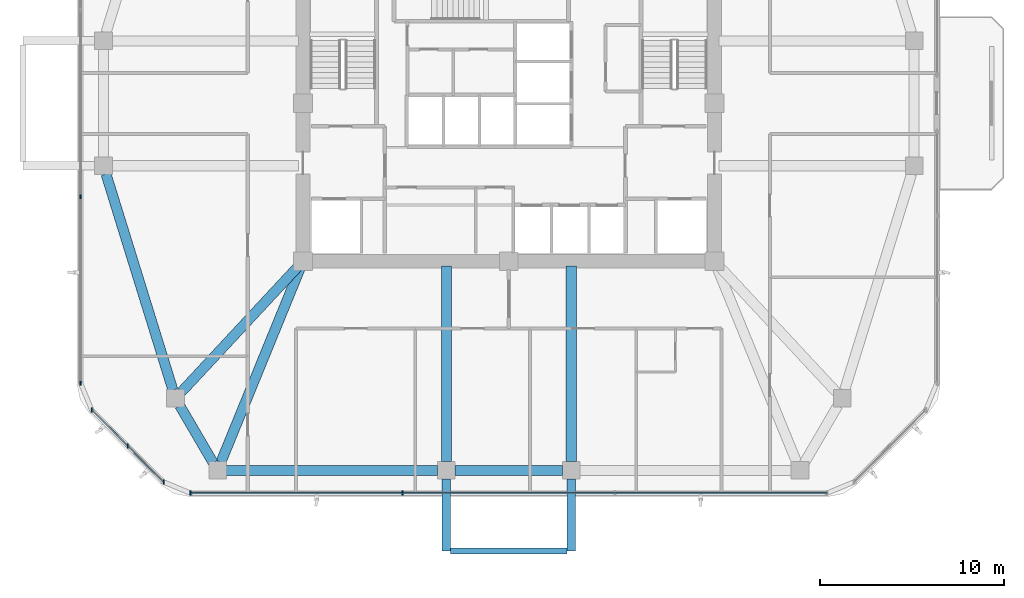
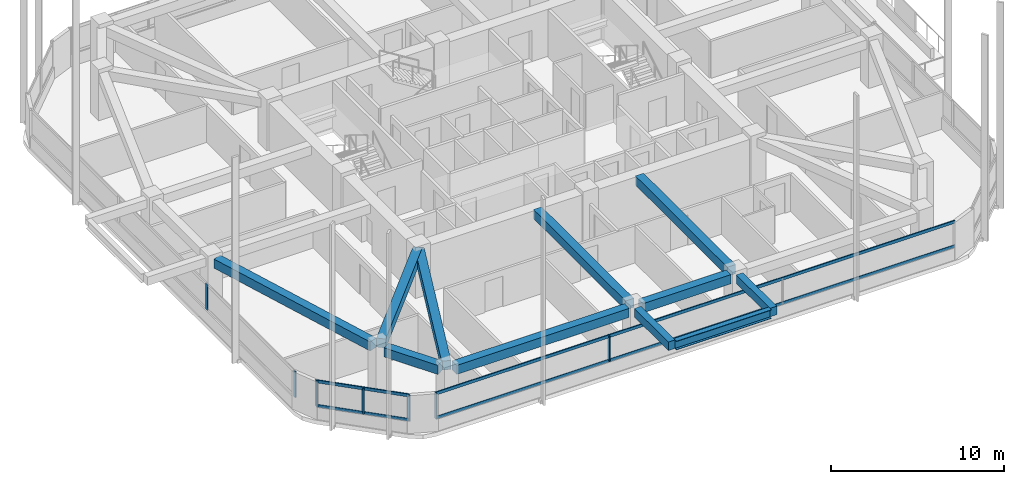
# One storey, part 2 of 14: 11 beams, 11 members, 3 elements without a shape of their own.
"""IFC4 building model written with IfcOpenShell, lengths in metres."""

import ifcopenshell
import ifcopenshell.guid

model = None  # the IFC model being written
_history = None  # IfcOwnerHistory: only IFC2X3 demands one
_inside = {}  # id of a spatial element -> (the spatial element, [elements in it])
_under = {}  # id of a project, library or spatial element -> (it, [spatial elements below it])
_declared = {}  # id of a project -> (the project, [libraries it declares])
_typed = {}  # id of a type object -> (the type object, [elements of that type])
_made_of = {}  # id of a material, layer set ... -> (it, [elements and type objects made of it])


def new_model(schema):
    """Start an empty IFC model of exactly this schema.

    Asked for "IFC4X3", IfcOpenShell would pick the latest addendum, in which some entities
    have other attributes; the version numbers below select the first issue.
    IFC2X3 requires an IfcOwnerHistory on every rooted entity: one is made here for all.
    """
    global model, _history
    if schema == "IFC4X3":
        model = ifcopenshell.file(schema_version=(4, 3, 0, 0))
    else:
        model = ifcopenshell.file(schema=schema)
    _inside.clear()
    _under.clear()
    _declared.clear()
    _typed.clear()
    _made_of.clear()
    _history = None
    if model.schema == "IFC2X3":
        org = make("IfcOrganization", Name="unknown")
        user = make(
            "IfcPersonAndOrganization",
            ThePerson=make("IfcPerson", FamilyName="unknown"),
            TheOrganization=org,
        )
        app = make(
            "IfcApplication",
            ApplicationDeveloper=org,
            Version="unknown",
            ApplicationFullName="unknown",
            ApplicationIdentifier="unknown",
        )
        _history = make(
            "IfcOwnerHistory",
            OwningUser=user,
            OwningApplication=app,
            ChangeAction="ADDED",
            CreationDate=0,
        )
    return model


def make(cls, **values):
    """One entity of the class cls with the attributes given. An attribute that is None is left unset."""
    return model.create_entity(
        cls, **{name: value for name, value in values.items() if value is not None}
    )


def rooted(cls, **values):
    """An entity with a GlobalId (a new one), such as an element, a storey or a relation."""
    return make(cls, GlobalId=ifcopenshell.guid.new(), OwnerHistory=_history, **values)


def si_unit(unit_type, name, prefix=None):
    """IfcSIUnit, for example si_unit("LENGTHUNIT", "METRE", prefix="MILLI")."""
    return make("IfcSIUnit", UnitType=unit_type, Prefix=prefix, Name=name)


def derived_unit(unit_type, elements):
    """IfcDerivedUnit: a product of units, each with its exponent."""
    return make(
        "IfcDerivedUnit",
        Elements=[
            make("IfcDerivedUnitElement", Unit=unit, Exponent=power)
            for unit, power in elements
        ],
        UnitType=unit_type,
    )


def assignment(units):
    """IfcUnitAssignment: the units of a project."""
    return None if units is None else make("IfcUnitAssignment", Units=units)


def point(xyz):
    """IfcCartesianPoint."""
    return None if xyz is None else make("IfcCartesianPoint", Coordinates=xyz)


def direction(xyz):
    """IfcDirection."""
    return None if xyz is None else make("IfcDirection", DirectionRatios=xyz)


def frame(location, z_axis=None, x_axis=None):
    """IfcAxis2Placement3D, a coordinate frame: its origin and axes. An axis left out is left unset."""
    return make(
        "IfcAxis2Placement3D",
        Location=point(location),
        Axis=direction(z_axis),
        RefDirection=direction(x_axis),
    )


def frame_2d(location, x_axis=None):
    """IfcAxis2Placement2D, a coordinate frame in the plane: its origin and x axis."""
    return make(
        "IfcAxis2Placement2D", Location=point(location), RefDirection=direction(x_axis)
    )


def origin():
    """The frame at (0, 0, 0) with its axes left unset."""
    return frame((0.0, 0.0, 0.0))


def origin_2d():
    """The frame at (0, 0) in the plane with its x axis left unset."""
    return frame_2d((0.0, 0.0))


def place(relative_to, where):
    """IfcLocalPlacement: puts the frame where relative to a parent placement (None: the world)."""
    return make(
        "IfcLocalPlacement", PlacementRelTo=relative_to, RelativePlacement=where
    )


def context(
    kind, dimensions, precision=None, world=None, true_north=None, identifier=None
):
    """IfcGeometricRepresentationContext, for example the 3D "Model" context."""
    return make(
        "IfcGeometricRepresentationContext",
        ContextIdentifier=identifier,
        ContextType=kind,
        CoordinateSpaceDimension=dimensions,
        Precision=precision,
        WorldCoordinateSystem=world,
        TrueNorth=true_north,
    )


def subcontext(parent, identifier, kind, view, scale=None):
    """IfcGeometricRepresentationSubContext, for example "Body" below "Model"."""
    return make(
        "IfcGeometricRepresentationSubContext",
        ContextIdentifier=identifier,
        ContextType=kind,
        ParentContext=parent,
        TargetScale=scale,
        TargetView=view,
    )


def project(units=None, contexts=None):
    """IfcProject with its units and contexts."""
    return rooted(
        "IfcProject",
        Name="project",
        RepresentationContexts=contexts,
        UnitsInContext=assignment(units),
    )


def spatial(cls, under=None, at=None, **own):
    """A site, building, storey or space (cls), placed at a placement, below another one or the project."""
    s = rooted(cls, ObjectPlacement=at, **own)
    if under is not None:
        _under.setdefault(under.id(), (under, []))[1].append(s)
    return s


def profile(cls, at=None, kind="AREA", **sizes):
    """A parametric profile (cls). Its sizes go by their IFC names, for example OverallWidth=200.0."""
    return make(cls, ProfileType=kind, Position=at, **sizes)


def rectangle(**sizes):
    """IfcRectangleProfileDef."""
    return profile("IfcRectangleProfileDef", **sizes)


def i_section(**sizes):
    """IfcIShapeProfileDef."""
    return profile("IfcIShapeProfileDef", **sizes)


def extrude(swept, where, along, depth):
    """IfcExtrudedAreaSolid: the profile swept, set in the frame where, extruded along a direction by depth."""
    return make(
        "IfcExtrudedAreaSolid",
        SweptArea=swept,
        Position=where,
        ExtrudedDirection=direction(along),
        Depth=depth,
    )


def shape(context_of_items, identifier, shape_type, items):
    """IfcShapeRepresentation: the items that make up one representation, for example the "Body"."""
    return make(
        "IfcShapeRepresentation",
        ContextOfItems=context_of_items,
        RepresentationIdentifier=identifier,
        RepresentationType=shape_type,
        Items=items,
    )


def material(Name=None, Category=None):
    """IfcMaterial."""
    return make("IfcMaterial", Name=Name, Category=Category)


def material_profile(
    of_material, cross_section, Name=None, Category=None, Priority=None
):
    """IfcMaterialProfile: a cross section and its material."""
    return make(
        "IfcMaterialProfile",
        Name=Name,
        Material=of_material,
        Profile=cross_section,
        Priority=Priority,
        Category=Category,
    )


def profile_set(profiles, Name=None, composite=None):
    """IfcMaterialProfileSet."""
    return make(
        "IfcMaterialProfileSet",
        Name=Name,
        MaterialProfiles=profiles,
        CompositeProfile=composite,
    )


def made_of(thing, what):
    """Note that an element or type object is made of a material, layer set ...; save() writes the relation."""
    if what is not None:
        _made_of.setdefault(what.id(), (what, []))[1].append(thing)
    return thing


def type_object(cls, material=None, **own):
    """A type object (cls), such as IfcWallType, which elements share."""
    return made_of(rooted(cls, **own), material)


def element(
    cls,
    number,
    at=None,
    inside=None,
    cuts=None,
    type_object=None,
    material=None,
    context=None,
    identifier="Body",
    shape_type=None,
    held_by="IfcProductDefinitionShape",
    body=None,
    shapes=None,
    **own,
):
    """One element of the class cls, such as IfcWall. Its Tag is "e" and its number.

    at: its placement. inside: the storey or other place that contains it. cuts: it is an
    opening in that element (IfcRelVoidsElement). A single representation is given by context,
    identifier, shape_type and body (its items); several are given by shapes. held_by: the class
    of the entity that holds the representations. save() writes the other relations.
    """
    e = rooted(cls, Tag="e%d" % number, ObjectPlacement=at, **own)
    if body is not None:
        shapes = [shape(context, identifier, shape_type, body)]
    if shapes is not None:
        e.Representation = make(held_by, Representations=shapes)
    if inside is not None:
        _inside.setdefault(inside.id(), (inside, []))[1].append(e)
    if cuts is not None:
        rooted(
            "IfcRelVoidsElement", RelatingBuildingElement=cuts, RelatedOpeningElement=e
        )
    if type_object is not None:
        _typed.setdefault(type_object.id(), (type_object, []))[1].append(e)
    return made_of(e, material)


def aggregate(whole, parts):
    """IfcRelAggregates: a whole, such as a stair, and the parts it consists of."""
    return rooted("IfcRelAggregates", RelatingObject=whole, RelatedObjects=parts)


def save(model, path):
    """Write the relations noted so far, then the file.

    IfcRelAggregates (storeys below a building ...), IfcRelContainedInSpatialStructure (elements
    in a storey), IfcRelDefinesByType, IfcRelAssociatesMaterial and IfcRelDeclares: one each for
    every whole, place, type object, material and project.
    """
    for whole, parts in _under.values():
        aggregate(whole, parts)
    for where, things in _inside.values():
        rooted(
            "IfcRelContainedInSpatialStructure",
            RelatedElements=things,
            RelatingStructure=where,
        )
    for kind, things in _typed.values():
        rooted("IfcRelDefinesByType", RelatedObjects=things, RelatingType=kind)
    for what, things in _made_of.values():
        rooted("IfcRelAssociatesMaterial", RelatedObjects=things, RelatingMaterial=what)
    for by, libraries in _declared.values():
        rooted("IfcRelDeclares", RelatingContext=by, RelatedDefinitions=libraries)
    model.write(path)


model = new_model("IFC4")

# Units and contexts
model_context = context("Model", 3, precision=1e-05, world=origin(), true_north=direction((0.0, 1.0)))
body_context = subcontext(model_context, "Body", "Model", "MODEL_VIEW")
ifc_project = project(units=[si_unit("LENGTHUNIT", "METRE"), si_unit("AREAUNIT", "SQUARE_METRE"), si_unit("VOLUMEUNIT", "CUBIC_METRE"), si_unit("PLANEANGLEUNIT", "RADIAN"), si_unit("MASSUNIT", "GRAM", prefix="KILO"), derived_unit("THERMALTRANSMITTANCEUNIT", [(si_unit("POWERUNIT", "WATT"), 1), (si_unit("LENGTHUNIT", "METRE"), -2), (si_unit("THERMODYNAMICTEMPERATUREUNIT", "KELVIN"), -1)])], contexts=[model_context])

# Site, building, storey
site_placement = place(None, origin())
site = spatial("IfcSite", under=ifc_project, at=site_placement, CompositionType="ELEMENT")
building_placement = place(site_placement, origin())
building = spatial("IfcBuilding", under=site, at=building_placement, Name="Koralith Skygarden Medical Center", CompositionType="ELEMENT")
storey_placement = place(building_placement, frame((0.0, 0.0, 160.02001953125)))
storey = spatial("IfcBuildingStorey", under=building, at=storey_placement, Name="L41", CompositionType="ELEMENT", Elevation=160.02001953125)

# Curtain wall, members
ifc_material_1 = material(Name="Clear Laminated Glass", Category="glass")
curtain_wall_type = type_object("IfcCurtainWallType", Name="CW-4 Zone 3 Waist High-Wind Curtain Wall", PredefinedType="NOTDEFINED", material=ifc_material_1)
curtain_wall_1_placement = place(storey_placement, origin())
curtain_wall_1 = element("IfcCurtainWall", 1, at=curtain_wall_1_placement, inside=storey, type_object=curtain_wall_type, Name="Curtain Wall CW-L41-S", PredefinedType="NOTDEFINED")
ifc_material_2 = material(Name="Aluminium 6063-T6", Category="aluminium")
ifc_material_profile_1 = material_profile(ifc_material_2, rectangle(XDim=0.076904296875, YDim=0.22998046875, at=origin_2d()), Name="MUL77X230")
ifc_profile_set_1 = profile_set([ifc_material_profile_1], Name="Aluminium 6063-T6")
member_type_1 = type_object("IfcMemberType", Name="CW-4 Extruded Mullion 77x230", PredefinedType="MULLION", material=ifc_profile_set_1)
member_1_placement = place(storey_placement, frame((19.6708984375, 4.679931640625, 0.85009765625), z_axis=(0.0, 0.0, 1.0), x_axis=(1.0, 0.0, 0.0)))
member_1 = element("IfcMember", 2, at=member_1_placement, type_object=member_type_1, Name="CW-L41-S Mullion 1", PredefinedType="MULLION", context=body_context, shape_type="SweptSolid", body=[
    extrude(rectangle(XDim=0.076904296875, YDim=0.22998046875, at=origin_2d()), origin(), (0.0, 0.0, 1.0), 1.81982421875),
])
member_2_placement = place(storey_placement, frame((31.22412109375, 4.679931640625, 0.85009765625), z_axis=(0.0, 0.0, 1.0), x_axis=(1.0, 0.0, 0.0)))
member_2 = element("IfcMember", 3, at=member_2_placement, type_object=member_type_1, Name="CW-L41-S Mullion 2", PredefinedType="MULLION", context=body_context, shape_type="SweptSolid", body=[
    extrude(rectangle(XDim=0.076904296875, YDim=0.22998046875, at=origin_2d()), origin(), (0.0, 0.0, 1.0), 1.81982421875),
])

curtain_wall_2_placement = place(storey_placement, origin())
curtain_wall_2 = element("IfcCurtainWall", 4, at=curtain_wall_2_placement, inside=storey, type_object=curtain_wall_type, Name="Curtain Wall CW-L41-W", PredefinedType="NOTDEFINED")
member_3_placement = place(storey_placement, frame((13.696044921875, 20.818115234375, 0.85009765625), z_axis=(0.0, 0.0, 1.0), x_axis=(1.0, 0.0, 0.0)))
member_3 = element("IfcMember", 5, at=member_3_placement, type_object=member_type_1, Name="CW-L41-W Mullion 3", PredefinedType="MULLION", context=body_context, shape_type="SweptSolid", body=[
    extrude(rectangle(XDim=0.076904296875, YDim=0.22998046875, at=origin_2d()), origin(), (0.0, 0.0, 1.0), 1.81982421875),
])
member_4_placement = place(storey_placement, frame((13.696044921875, 10.655029296875, 0.85009765625), z_axis=(0.0, 0.0, 1.0), x_axis=(1.0, 0.0, 0.0)))
member_4 = element("IfcMember", 6, at=member_4_placement, type_object=member_type_1, Name="CW-L41-W Mullion 4", PredefinedType="MULLION", context=body_context, shape_type="SweptSolid", body=[
    extrude(rectangle(XDim=0.076904296875, YDim=0.22998046875, at=origin_2d()), origin(), (0.0, 0.0, 1.0), 1.81982421875),
])
aggregate(curtain_wall_2, [member_3, member_4])

curtain_wall_3_placement = place(storey_placement, origin())
curtain_wall_3 = element("IfcCurtainWall", 7, at=curtain_wall_3_placement, inside=storey, type_object=curtain_wall_type, Name="Curtain Wall CW-L41-SW", PredefinedType="NOTDEFINED")
member_5_placement = place(storey_placement, frame((14.297119140625, 9.2041015625, 0.85009765625), z_axis=(0.0, 0.0, 1.0), x_axis=(1.0, 0.0, 0.0)))
member_5 = element("IfcMember", 8, at=member_5_placement, type_object=member_type_1, Name="CW-L41-SW Mullion 1", PredefinedType="MULLION", context=body_context, shape_type="SweptSolid", body=[
    extrude(rectangle(XDim=0.076904296875, YDim=0.22998046875, at=origin_2d()), origin(), (0.0, 0.0, 1.0), 1.81982421875),
])
member_6_placement = place(storey_placement, frame((16.258056640625, 7.241943359375, 0.85009765625), z_axis=(0.0, 0.0, 1.0), x_axis=(1.0, 0.0, 0.0)))
member_6 = element("IfcMember", 9, at=member_6_placement, type_object=member_type_1, Name="CW-L41-SW Mullion 2", PredefinedType="MULLION", context=body_context, shape_type="SweptSolid", body=[
    extrude(rectangle(XDim=0.076904296875, YDim=0.22998046875, at=origin_2d()), origin(), (0.0, 0.0, 1.0), 1.81982421875),
])
member_7_placement = place(storey_placement, frame((18.219970703125, 5.281005859375, 0.85009765625), z_axis=(0.0, 0.0, 1.0), x_axis=(1.0, 0.0, 0.0)))
member_7 = element("IfcMember", 10, at=member_7_placement, type_object=member_type_1, Name="CW-L41-SW Mullion 3", PredefinedType="MULLION", context=body_context, shape_type="SweptSolid", body=[
    extrude(rectangle(XDim=0.076904296875, YDim=0.22998046875, at=origin_2d()), origin(), (0.0, 0.0, 1.0), 1.81982421875),
])

# Member
ifc_material_profile_2 = material_profile(ifc_material_2, rectangle(XDim=0.072021484375, YDim=0.20703125, at=origin_2d()), Name="TRN72X207")
ifc_profile_set_2 = profile_set([ifc_material_profile_2], Name="Aluminium 6063-T6")
member_type_2 = type_object("IfcMemberType", Name="CW-4 Thermal Transom 72x207", PredefinedType="USERDEFINED", material=ifc_profile_set_2)
member_8_placement = place(storey_placement, frame((19.6708984375, 4.679931640625, 0.89990234375), z_axis=(1.0, 0.0, 0.0), x_axis=(0.0, 1.0, 0.0)))
member_8 = element("IfcMember", 11, at=member_8_placement, type_object=member_type_2, Name="CW-L41-S Transom 1", ObjectType="TRANSOM", PredefinedType="USERDEFINED", context=body_context, shape_type="SweptSolid", body=[
    extrude(rectangle(XDim=0.072021484375, YDim=0.20703125, at=origin_2d()), origin(), (0.0, 0.0, 1.0), 34.658203125),
])

member_9_placement = place(storey_placement, frame((19.6708984375, 4.679931640625, 2.619873046875), z_axis=(1.0, 0.0, 0.0), x_axis=(0.0, 1.0, 0.0)))
member_9 = element("IfcMember", 12, at=member_9_placement, type_object=member_type_2, Name="CW-L41-S Transom 2", ObjectType="TRANSOM", PredefinedType="USERDEFINED", context=body_context, shape_type="SweptSolid", body=[
    extrude(rectangle(XDim=0.072021484375, YDim=0.20703125, at=origin_2d()), origin(), (0.0, 0.0, 1.0), 34.658203125),
])

aggregate(curtain_wall_1, [member_1, member_2, member_8, member_9])

member_10_placement = place(storey_placement, frame((14.297119140625, 9.2041015625, 0.89990234375), z_axis=(0.707084777957, -0.707128783731, 0.0), x_axis=(0.707128783731, 0.707084777957, 0.0)))
member_10 = element("IfcMember", 13, at=member_10_placement, type_object=member_type_2, Name="CW-L41-SW Transom 1", ObjectType="TRANSOM", PredefinedType="USERDEFINED", context=body_context, shape_type="SweptSolid", body=[
    extrude(rectangle(XDim=0.072021484375, YDim=0.20703125, at=origin_2d()), origin(), (0.0, 0.0, 1.0), 5.5478515625),
])

member_11_placement = place(storey_placement, frame((14.297119140625, 9.2041015625, 2.619873046875), z_axis=(0.707084777957, -0.707128783731, 0.0), x_axis=(0.707128783731, 0.707084777957, 0.0)))
member_11 = element("IfcMember", 14, at=member_11_placement, type_object=member_type_2, Name="CW-L41-SW Transom 2", ObjectType="TRANSOM", PredefinedType="USERDEFINED", context=body_context, shape_type="SweptSolid", body=[
    extrude(rectangle(XDim=0.072021484375, YDim=0.20703125, at=origin_2d()), origin(), (0.0, 0.0, 1.0), 5.5478515625),
])

aggregate(curtain_wall_3, [member_5, member_6, member_7, member_10, member_11])

# Beams
ifc_material_3 = material(Name="Steel ASTM A992 Grade 50", Category="steel")
ifc_material_profile_3 = material_profile(ifc_material_3, i_section(OverallWidth=0.326904296875, OverallDepth=0.6220703125, WebThickness=0.015380859375, FlangeThickness=0.0244140625, at=origin_2d()), Name="W24X131")
ifc_profile_set_3 = profile_set([ifc_material_profile_3], Name="Steel ASTM A992 Grade 50")
beam_type_1 = type_object("IfcBeamType", Name="Cantilever Tie Beam W24X131", PredefinedType="BEAM", material=ifc_profile_set_3)
beam_1_placement = place(storey_placement, frame((33.820068359375, 1.5400390625, 3.029052734375), z_axis=(1.0, 0.0, 0.0), x_axis=(0.0, 1.0, 0.0)))
element("IfcBeam", 15, at=beam_1_placement, inside=storey, type_object=beam_type_1, Name="L42 S Balcony Tip Tie Beam", PredefinedType="BEAM", context=body_context, shape_type="SweptSolid", body=[
    extrude(i_section(OverallWidth=0.326904296875, OverallDepth=0.6220703125, WebThickness=0.015380859375, FlangeThickness=0.0244140625, at=origin_2d()), origin(), (0.0, 0.0, 1.0), 6.35986328125),
])
ifc_material_4 = material(Name="Concrete C45/55", Category="concrete")
ifc_material_profile_4 = material_profile(ifc_material_4, rectangle(XDim=0.449951171875, YDim=0.60009765625, at=origin_2d()), Name="RCB450X600")
ifc_profile_set_4 = profile_set([ifc_material_profile_4], Name="Concrete C45/55")
beam_type_2 = type_object("IfcBeamType", Name="Planted Balcony Cantilever Beam RCB450X600", PredefinedType="BEAM", material=ifc_profile_set_4)
for number, where, z_axis, x_axis, name in (
    (16, (33.60009765625, 5.4599609375, 3.0400390625), (0.0, -1.0, 0.0), (1.0, 0.0, 0.0), "L42 S Balcony Cantilever Beam A"),
    (17, (40.39990234375, 5.4599609375, 3.0400390625), (0.0, -1.0, 0.0), (1.0, 0.0, 0.0), "L42 S Balcony Cantilever Beam B"),
):
    element("IfcBeam", number, at=place(storey_placement, frame(where, z_axis=z_axis, x_axis=x_axis)), inside=storey, type_object=beam_type_2, Name=name, PredefinedType="BEAM", context=body_context, shape_type="SweptSolid", body=[
        extrude(rectangle(XDim=0.449951171875, YDim=0.60009765625, at=origin_2d()), origin(), (0.0, 0.0, 1.0), 3.919921875),
    ])
ifc_material_profile_5 = material_profile(ifc_material_4, rectangle(XDim=0.550048828125, YDim=0.639892578125, at=origin_2d()), Name="RCB550X640")
ifc_profile_set_5 = profile_set([ifc_material_profile_5], Name="Concrete C45/55")
beam_type_3 = type_object("IfcBeamType", Name="Radial Collector Beam RCB550X640", PredefinedType="BEAM", material=ifc_profile_set_5)
beam_2_placement = place(storey_placement, frame((25.6298828125, 17.116943359375, 3.0), z_axis=(-0.681369011591, -0.731940072713, 0.0), x_axis=(0.731940072713, -0.681369011591, 0.0)))
element("IfcBeam", 18, at=beam_2_placement, inside=storey, type_object=beam_type_3, Name="L41 Radial Collector Beam RB-02", PredefinedType="BEAM", context=body_context, shape_type="SweptSolid", body=[
    extrude(rectangle(XDim=0.550048828125, YDim=0.639892578125, at=origin_2d()), origin(), (0.0, 0.0, 1.0), 9.471923828125),
])
beam_3_placement = place(storey_placement, frame((25.705078125, 17.069091796875, 3.0), z_axis=(-0.378344544364, -0.92566484526, 0.0), x_axis=(0.92566484526, -0.378344544364, 0.0)))
element("IfcBeam", 19, at=beam_3_placement, inside=storey, type_object=beam_type_3, Name="L41 Radial Collector Beam RB-03", PredefinedType="BEAM", context=body_context, shape_type="SweptSolid", body=[
    extrude(rectangle(XDim=0.550048828125, YDim=0.639892578125, at=origin_2d()), origin(), (0.0, 0.0, 1.0), 11.574462890625),
])
for number, where, z_axis, x_axis, name in (
    (20, (33.60009765625, 17.050048828125, 3.0), (0.0, -1.0, 0.0), (1.0, 0.0, 0.0), "L41 Radial Collector Beam RB-04"),
    (21, (40.39990234375, 17.050048828125, 3.0), (0.0, -1.0, 0.0), (1.0, 0.0, 0.0), "L41 Radial Collector Beam RB-05"),
):
    element("IfcBeam", number, at=place(storey_placement, frame(where, z_axis=z_axis, x_axis=x_axis)), inside=storey, type_object=beam_type_3, Name=name, PredefinedType="BEAM", context=body_context, shape_type="SweptSolid", body=[
        extrude(rectangle(XDim=0.550048828125, YDim=0.639892578125, at=origin_2d()), origin(), (0.0, 0.0, 1.0), 10.66015625),
    ])
ifc_material_profile_6 = material_profile(ifc_material_4, rectangle(XDim=0.550048828125, YDim=0.639892578125, at=origin_2d()), Name="RCB550X640")
ifc_profile_set_6 = profile_set([ifc_material_profile_6], Name="Concrete C45/55")
beam_type_4 = type_object("IfcBeamType", Name="Zone 2-3 Spandrel Beam RCB550X640", PredefinedType="SPANDREL", material=ifc_profile_set_6)
beam_4_placement = place(storey_placement, frame((15.074951171875, 22.051025390625, 3.0), z_axis=(0.295793585147, -0.955251880389, 0.0), x_axis=(0.955251880389, 0.295793585147, 0.0)))
element("IfcBeam", 22, at=beam_4_placement, inside=storey, type_object=beam_type_4, Name="L41 Perimeter Spandrel Beam SP-01", PredefinedType="SPANDREL", context=body_context, shape_type="SweptSolid", body=[
    extrude(rectangle(XDim=0.550048828125, YDim=0.639892578125, at=origin_2d()), origin(), (0.0, 0.0, 1.0), 12.31298828125),
])
beam_5_placement = place(storey_placement, frame((19.093017578125, 9.43408203125, 3.0), z_axis=(0.504861391295, -0.863200426077, 0.0), x_axis=(0.863200426077, 0.504861391295, 0.0)))
element("IfcBeam", 23, at=beam_5_placement, inside=storey, type_object=beam_type_4, Name="L41 Perimeter Spandrel Beam SP-02", PredefinedType="SPANDREL", context=body_context, shape_type="SweptSolid", body=[
    extrude(rectangle(XDim=0.550048828125, YDim=0.639892578125, at=origin_2d()), origin(), (0.0, 0.0, 1.0), 3.600830078125),
])
beam_6_placement = place(storey_placement, frame((21.617919921875, 5.919921875, 3.0), z_axis=(1.0, 0.0, 0.0), x_axis=(0.0, 1.0, 0.0)))
element("IfcBeam", 24, at=beam_6_placement, inside=storey, type_object=beam_type_4, Name="L41 Perimeter Spandrel Beam SP-03", PredefinedType="SPANDREL", context=body_context, shape_type="SweptSolid", body=[
    extrude(rectangle(XDim=0.550048828125, YDim=0.639892578125, at=origin_2d()), origin(), (0.0, 0.0, 1.0), 11.511962890625),
])
beam_7_placement = place(storey_placement, frame((34.070068359375, 5.919921875, 3.0), z_axis=(1.0, 0.0, 0.0), x_axis=(0.0, 1.0, 0.0)))
element("IfcBeam", 25, at=beam_7_placement, inside=storey, type_object=beam_type_4, Name="L41 Perimeter Spandrel Beam SP-04", PredefinedType="SPANDREL", context=body_context, shape_type="SweptSolid", body=[
    extrude(rectangle(XDim=0.550048828125, YDim=0.639892578125, at=origin_2d()), origin(), (0.0, 0.0, 1.0), 5.85986328125),
])

save(model, "model.ifc")
